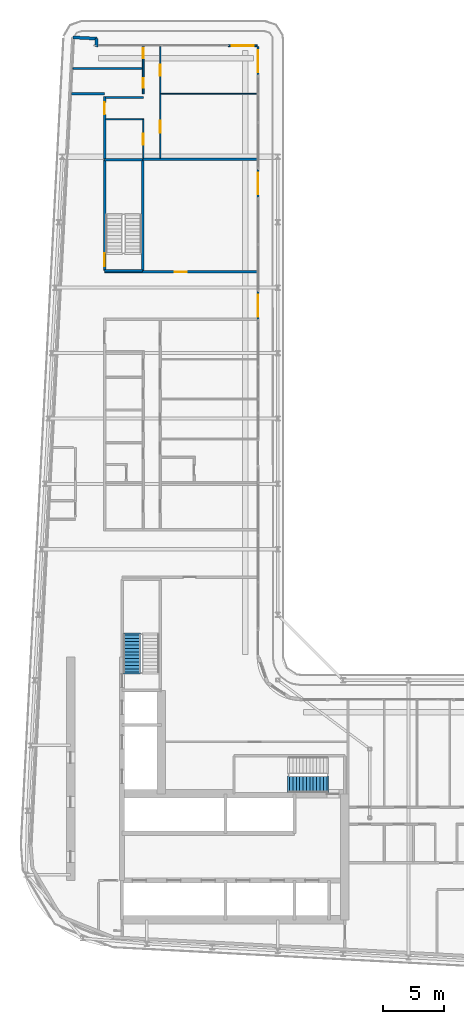
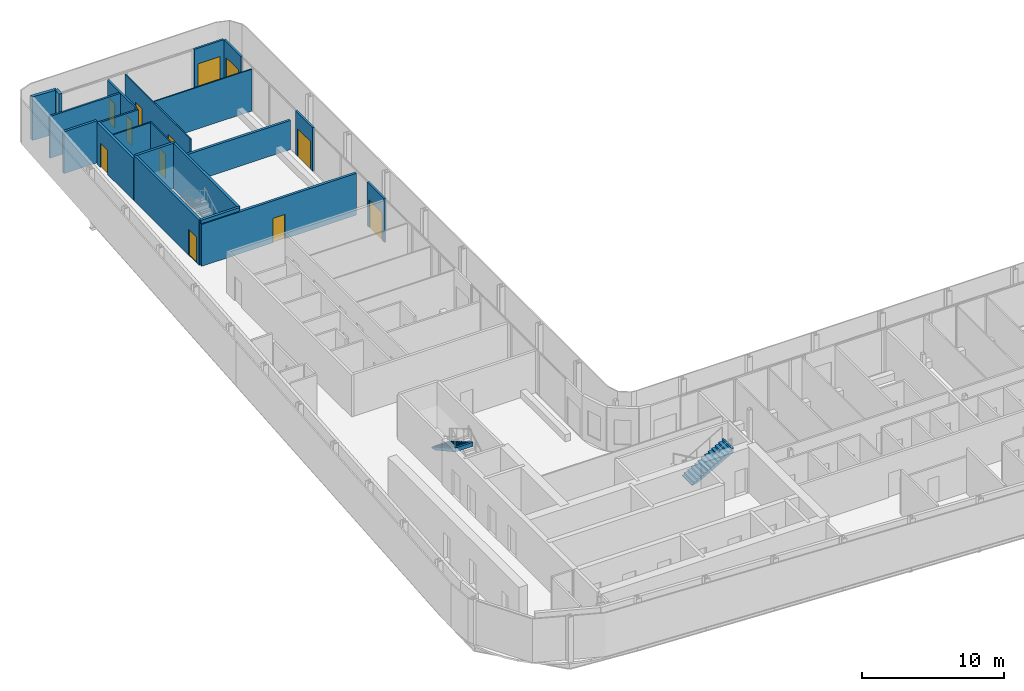
# One storey, part 15 of 23: 21 walls, 12 doors, 2 stair flights, 12 openings, 2 elements without a shape of their own.
"""IFC4 building model written with IfcOpenShell, lengths in metres."""

from ifc_helpers import new_model, si_unit, direction, frame, frame_2d, origin, place, context, subcontext, project, spatial, polyline, rectangle, outline, extrude, source, transform, mapped, material, layer, layer_set, type_object, element, fill, aggregate, save


model = new_model("IFC4")

# Units and contexts
model_context = context("Model", 3, precision=1e-05, world=origin(), true_north=direction((0.0, 1.0)))
body_context = subcontext(model_context, "Body", "Model", "MODEL_VIEW")
ifc_project = project(units=[si_unit("LENGTHUNIT", "METRE"), si_unit("AREAUNIT", "SQUARE_METRE"), si_unit("VOLUMEUNIT", "CUBIC_METRE"), si_unit("PLANEANGLEUNIT", "RADIAN"), si_unit("MASSUNIT", "GRAM", prefix="KILO")], contexts=[model_context])

# Site, building, storey
site_placement = place(None, origin())
site = spatial("IfcSite", under=ifc_project, at=site_placement, CompositionType="ELEMENT")
building_placement = place(site_placement, origin())
building = spatial("IfcBuilding", under=site, at=building_placement, Name="Kheshtan School and Residences Tower", CompositionType="ELEMENT")
storey_placement = place(building_placement, frame((0.0, 0.0, 243.5)))
storey = spatial("IfcBuildingStorey", under=building, at=storey_placement, Name="L57", CompositionType="ELEMENT", Elevation=243.5)

# Wall
ifc_material_1 = material(Name="Gypsum board on steel studs with fire boards", Category="steel")
ifc_layer_1 = layer(ifc_material_1, 0.199951171875)
ifc_layer_set_1 = layer_set([ifc_layer_1], Name="Corridor wall 200")
wall_type_1 = type_object("IfcWallType", Name="Corridor wall 200", PredefinedType="PARTITIONING", material=ifc_layer_set_1)
wall_1_placement = place(storey_placement, frame((30.584716796875, 94.0, 0.0), z_axis=(0.0, 0.0, 1.0), x_axis=(1.0, 0.0, 0.0)))
element("IfcWall", 1, at=wall_1_placement, inside=storey, type_object=wall_type_1, Name="Partition L57-002", PredefinedType="PARTITIONING", context=body_context, shape_type="SweptSolid", body=[
    extrude(rectangle(XDim=2.71533203125, YDim=0.199951171875, at=frame_2d((1.357666015625, 0.0))), origin(), (0.0, 0.0, 1.0), 3.60009765625),
])

# Wall, opening, door
wall_2_placement = place(storey_placement, frame((33.300048828125, 79.300048828125, 0.0), z_axis=(0.0, 0.0, 1.0), x_axis=(1.0, 0.0, 0.0)))
wall_2 = element("IfcWall", 2, at=wall_2_placement, inside=storey, type_object=wall_type_1, Name="Partition L57-004", PredefinedType="PARTITIONING", context=body_context, shape_type="SweptSolid", body=[
    extrude(rectangle(XDim=12.599853515625, YDim=0.199951171875, at=frame_2d((6.2998046875, 0.0))), origin(), (0.0, 0.0, 1.0), 3.60009765625),
])
opening_1_placement = place(wall_2_placement, frame((5.794921875, 0.0, 0.0)))
opening_1 = element("IfcOpeningElement", 3, at=opening_1_placement, cuts=wall_2, Name="Opening D56-049", PredefinedType="OPENING", context=body_context, shape_type="SweptSolid", body=[
    extrude(rectangle(XDim=1.0, YDim=2.10009765625, at=frame_2d((0.5, 1.050048828125))), frame((0.0, 0.10986328125, 0.0), z_axis=(0.0, -1.0, 0.0), x_axis=(1.0, 0.0, 0.0)), (0.0, 0.0, 1.0), 0.219970703125),
])
ifc_material_2 = material(Name="Steel-framed fire-resisting door leaf", Category="steel")
door_type_1 = type_object("IfcDoorType", Name="Fire door FD60 1000 x 2100", OperationType="SINGLE_SWING_LEFT", PredefinedType="DOOR", material=ifc_material_2)
shared_shape_1 = source(origin(), body_context, "Body", "SweptSolid", [
    extrude(rectangle(XDim=1.0, YDim=2.10009765625, at=frame_2d((0.5, 1.050048828125))), frame((0.0, 0.02490234375, 0.0), z_axis=(0.0, -1.0, 0.0), x_axis=(1.0, 0.0, 0.0)), (0.0, 0.0, 1.0), 0.050048828125),
])
door_1_placement = place(opening_1_placement, origin())
door_1 = element("IfcDoor", 4, at=door_1_placement, inside=storey, type_object=door_type_1, Name="Door D56-049", OperationType="SINGLE_SWING_RIGHT", OverallHeight=2.10009765625, OverallWidth=1.0, PredefinedType="DOOR", context=body_context, shape_type="MappedRepresentation", body=[
    mapped(shared_shape_1, transform((0.0, 0.0, 0.0), x_axis=(1.0, 0.0, 0.0), y_axis=(0.0, 1.0, 0.0), z_axis=(0.0, 0.0, 1.0), scale=1.0)),
])
fill(opening_1, door_1)

wall_3_placement = place(storey_placement, frame((33.300048828125, 88.60009765625, 0.0), z_axis=(0.0, 0.0, 1.0), x_axis=(0.0, 1.0, 0.0)))
wall_3 = element("IfcWall", 5, at=wall_3_placement, inside=storey, type_object=wall_type_1, Name="Partition L57-005", PredefinedType="PARTITIONING", context=body_context, shape_type="SweptSolid", body=[
    extrude(rectangle(XDim=5.1748046875, YDim=0.199951171875, at=frame_2d((2.58740234375, 0.0))), origin(), (0.0, 0.0, 1.0), 3.60009765625),
])
opening_2_placement = place(wall_3_placement, frame((3.699951171875, 0.0, 0.0)))
opening_2 = element("IfcOpeningElement", 6, at=opening_2_placement, cuts=wall_3, Name="Opening D56-042", PredefinedType="OPENING", context=body_context, shape_type="SweptSolid", body=[
    extrude(rectangle(XDim=1.0, YDim=2.10009765625, at=frame_2d((0.5, 1.050048828125))), frame((0.0, 0.10986328125, 0.0), z_axis=(0.0, -1.0, 0.0), x_axis=(1.0, 0.0, 0.0)), (0.0, 0.0, 1.0), 0.219970703125),
])
door_type_2 = type_object("IfcDoorType", Name="Fire door FD30S 1000 x 2100", OperationType="SINGLE_SWING_LEFT", PredefinedType="DOOR", material=ifc_material_2)
shared_shape_2 = source(origin(), body_context, "Body", "SweptSolid", [
    extrude(rectangle(XDim=1.0, YDim=2.10009765625, at=frame_2d((0.5, 1.050048828125))), frame((0.0, 0.02490234375, 0.0), z_axis=(0.0, -1.0, 0.0), x_axis=(1.0, 0.0, 0.0)), (0.0, 0.0, 1.0), 0.050048828125),
])
door_2_placement = place(opening_2_placement, origin())
door_2 = element("IfcDoor", 7, at=door_2_placement, inside=storey, type_object=door_type_2, Name="Door D56-042", OperationType="SINGLE_SWING_RIGHT", OverallHeight=2.10009765625, OverallWidth=1.0, PredefinedType="DOOR", context=body_context, shape_type="MappedRepresentation", body=[
    mapped(shared_shape_2, transform((0.0, 0.0, 0.0), x_axis=(1.0, 0.0, 0.0), y_axis=(0.0, 1.0, 0.0), z_axis=(0.0, 0.0, 1.0), scale=1.0)),
])
fill(opening_2, door_2)

# Walls
ifc_material_3 = material(Name="Concrete C40/50 with ceramic cladding and mineral wool insulation", Category="concrete")
ifc_layer_2 = layer(ifc_material_3, 0.25)
ifc_layer_set_2 = layer_set([ifc_layer_2], Name="External wall 250 ceramic clad")
wall_type_2 = type_object("IfcWallType", Name="External wall 250 ceramic clad", PredefinedType="SOLIDWALL", material=ifc_layer_set_2)
wall_4_placement = place(storey_placement, frame((30.705078125, 98.6640625, 0.0), z_axis=(0.0, 0.0, 1.0), x_axis=(0.998577785791, -0.053314216913, 0.0)))
element("IfcWall", 8, at=wall_4_placement, inside=storey, type_object=wall_type_2, Name="External wall L57 5", PredefinedType="SOLIDWALL", context=body_context, shape_type="SweptSolid", body=[
    extrude(rectangle(XDim=1.95068359375, YDim=0.25, at=frame_2d((0.975341796875, 0.0))), origin(), (0.0, 0.0, 1.0), 3.75),
])
wall_5_placement = place(storey_placement, frame((32.653076171875, 98.56005859375, 0.0), z_axis=(0.0, 0.0, 1.0), x_axis=(-0.054093451632, -0.998535877418, 0.0)))
element("IfcWall", 9, at=wall_5_placement, inside=storey, type_object=wall_type_2, Name="External wall L57 6", PredefinedType="SOLIDWALL", context=body_context, shape_type="SweptSolid", body=[
    extrude(rectangle(XDim=0.66796875, YDim=0.25, at=frame_2d((0.333984375, 0.0))), origin(), (0.0, 0.0, 1.0), 3.75),
])

# Wall, opening, door
ifc_material_4 = material(Name="Aluminium frame wall with insulated infill", Category="aluminium")
ifc_layer_3 = layer(ifc_material_4, 0.14990234375)
ifc_layer_set_3 = layer_set([ifc_layer_3], Name="Glazing frame wall 150")
wall_type_3 = type_object("IfcWallType", Name="Glazing frame wall 150", PredefinedType="SOLIDWALL", material=ifc_layer_set_3)
wall_6_placement = place(storey_placement, frame((43.5, 97.97509765625, 0.0), z_axis=(0.0, 0.0, 1.0), x_axis=(1.0, 0.0, 0.0)))
wall_6 = element("IfcWall", 10, at=wall_6_placement, inside=storey, type_object=wall_type_3, Name="Balcony door wall L57 7.1", PredefinedType="SOLIDWALL", context=body_context, shape_type="SweptSolid", body=[
    extrude(rectangle(XDim=2.39990234375, YDim=0.14990234375, at=frame_2d((1.199951171875, 0.0))), origin(), (0.0, 0.0, 1.0), 3.75),
])
opening_3_placement = place(wall_6_placement, frame((0.300048828125, 0.0, 0.0)))
opening_3 = element("IfcOpeningElement", 11, at=opening_3_placement, cuts=wall_6, Name="Opening BD", PredefinedType="OPENING", context=body_context, shape_type="SweptSolid", body=[
    extrude(rectangle(XDim=1.800048828125, YDim=2.39990234375, at=frame_2d((0.89990234375, 1.199951171875))), frame((0.0, 0.0849609375, 0.0), z_axis=(0.0, -1.0, 0.0), x_axis=(1.0, 0.0, 0.0)), (0.0, 0.0, 1.0), 0.169921875),
])
ifc_material_5 = material(Name="Clear low-e glass in thermally broken aluminium frame", Category="aluminium")
door_type_3 = type_object("IfcDoorType", Name="Balcony sliding door", OperationType="SLIDING_TO_LEFT", PredefinedType="DOOR", material=ifc_material_5)
shared_shape_3 = source(origin(), body_context, "Body", "SweptSolid", [
    extrude(rectangle(XDim=1.800048828125, YDim=2.39990234375, at=frame_2d((0.89990234375, 1.199951171875))), frame((0.0, 0.02490234375, 0.0), z_axis=(0.0, -1.0, 0.0), x_axis=(1.0, 0.0, 0.0)), (0.0, 0.0, 1.0), 0.050048828125),
])
door_3_placement = place(opening_3_placement, origin())
door_3 = element("IfcDoor", 12, at=door_3_placement, inside=storey, type_object=door_type_3, Name="Balcony door L57 7.1", OperationType="SLIDING_TO_LEFT", OverallHeight=2.39990234375, OverallWidth=1.800048828125, PredefinedType="DOOR", context=body_context, shape_type="MappedRepresentation", body=[
    mapped(shared_shape_3, transform((0.0, 0.0, 0.0), x_axis=(1.0, 0.0, 0.0), y_axis=(0.0, 1.0, 0.0), z_axis=(0.0, 0.0, 1.0), scale=1.0)),
])
fill(opening_3, door_3)

wall_7_placement = place(storey_placement, frame((45.97509765625, 97.89990234375, 0.0), z_axis=(0.0, 0.0, 1.0), x_axis=(0.0, -1.0, 0.0)))
wall_7 = element("IfcWall", 13, at=wall_7_placement, inside=storey, type_object=wall_type_3, Name="Balcony door wall L57 8.1", PredefinedType="SOLIDWALL", context=body_context, shape_type="SweptSolid", body=[
    extrude(rectangle(XDim=2.39990234375, YDim=0.14990234375, at=frame_2d((1.199951171875, 0.0))), origin(), (0.0, 0.0, 1.0), 3.75),
])
opening_4_placement = place(wall_7_placement, frame((0.300048828125, 0.0, 0.0)))
opening_4 = element("IfcOpeningElement", 14, at=opening_4_placement, cuts=wall_7, Name="Opening BD", PredefinedType="OPENING", context=body_context, shape_type="SweptSolid", body=[
    extrude(rectangle(XDim=1.800048828125, YDim=2.39990234375, at=frame_2d((0.89990234375, 1.199951171875))), frame((0.0, 0.0849609375, 0.0), z_axis=(0.0, -1.0, 0.0), x_axis=(1.0, 0.0, 0.0)), (0.0, 0.0, 1.0), 0.169921875),
])
door_4_placement = place(opening_4_placement, origin())
door_4 = element("IfcDoor", 15, at=door_4_placement, inside=storey, type_object=door_type_3, Name="Balcony door L57 8.1", OperationType="SLIDING_TO_LEFT", OverallHeight=2.39990234375, OverallWidth=1.800048828125, PredefinedType="DOOR", context=body_context, shape_type="MappedRepresentation", body=[
    mapped(shared_shape_3, transform((0.0, 0.0, 0.0), x_axis=(1.0, 0.0, 0.0), y_axis=(0.0, 1.0, 0.0), z_axis=(0.0, 0.0, 1.0), scale=1.0)),
])
fill(opening_4, door_4)

wall_8_placement = place(storey_placement, frame((45.97509765625, 87.805908203125, 0.0), z_axis=(0.0, 0.0, 1.0), x_axis=(0.0, -1.0, 0.0)))
wall_8 = element("IfcWall", 16, at=wall_8_placement, inside=storey, type_object=wall_type_3, Name="Balcony door wall L57 8.2", PredefinedType="SOLIDWALL", context=body_context, shape_type="SweptSolid", body=[
    extrude(rectangle(XDim=2.39990234375, YDim=0.14990234375, at=frame_2d((1.199951171875, 0.0))), origin(), (0.0, 0.0, 1.0), 3.75),
])
opening_5_placement = place(wall_8_placement, frame((0.300048828125, 0.0, 0.0)))
opening_5 = element("IfcOpeningElement", 17, at=opening_5_placement, cuts=wall_8, Name="Opening BD", PredefinedType="OPENING", context=body_context, shape_type="SweptSolid", body=[
    extrude(rectangle(XDim=1.800048828125, YDim=2.39990234375, at=frame_2d((0.89990234375, 1.199951171875))), frame((0.0, 0.0849609375, 0.0), z_axis=(0.0, -1.0, 0.0), x_axis=(1.0, 0.0, 0.0)), (0.0, 0.0, 1.0), 0.169921875),
])
door_5_placement = place(opening_5_placement, origin())
door_5 = element("IfcDoor", 18, at=door_5_placement, inside=storey, type_object=door_type_3, Name="Balcony door L57 8.2", OperationType="SLIDING_TO_LEFT", OverallHeight=2.39990234375, OverallWidth=1.800048828125, PredefinedType="DOOR", context=body_context, shape_type="MappedRepresentation", body=[
    mapped(shared_shape_3, transform((0.0, 0.0, 0.0), x_axis=(1.0, 0.0, 0.0), y_axis=(0.0, 1.0, 0.0), z_axis=(0.0, 0.0, 1.0), scale=1.0)),
])
fill(opening_5, door_5)

wall_9_placement = place(storey_placement, frame((45.97509765625, 77.7119140625, 0.0), z_axis=(0.0, 0.0, 1.0), x_axis=(0.0, -1.0, 0.0)))
wall_9 = element("IfcWall", 19, at=wall_9_placement, inside=storey, type_object=wall_type_3, Name="Balcony door wall L57 8.3", PredefinedType="SOLIDWALL", context=body_context, shape_type="SweptSolid", body=[
    extrude(rectangle(XDim=2.39990234375, YDim=0.14990234375, at=frame_2d((1.199951171875, 0.0))), origin(), (0.0, 0.0, 1.0), 3.75),
])
opening_6_placement = place(wall_9_placement, frame((0.300048828125, 0.0, 0.0)))
opening_6 = element("IfcOpeningElement", 20, at=opening_6_placement, cuts=wall_9, Name="Opening BD", PredefinedType="OPENING", context=body_context, shape_type="SweptSolid", body=[
    extrude(rectangle(XDim=1.800048828125, YDim=2.39990234375, at=frame_2d((0.89990234375, 1.199951171875))), frame((0.0, 0.0849609375, 0.0), z_axis=(0.0, -1.0, 0.0), x_axis=(1.0, 0.0, 0.0)), (0.0, 0.0, 1.0), 0.169921875),
])
door_6_placement = place(opening_6_placement, origin())
door_6 = element("IfcDoor", 21, at=door_6_placement, inside=storey, type_object=door_type_3, Name="Balcony door L57 8.3", OperationType="SLIDING_TO_LEFT", OverallHeight=2.39990234375, OverallWidth=1.800048828125, PredefinedType="DOOR", context=body_context, shape_type="MappedRepresentation", body=[
    mapped(shared_shape_3, transform((0.0, 0.0, 0.0), x_axis=(1.0, 0.0, 0.0), y_axis=(0.0, 1.0, 0.0), z_axis=(0.0, 0.0, 1.0), scale=1.0)),
])
fill(opening_6, door_6)

# Wall
ifc_material_6 = material(Name="Gypsum board on steel studs", Category="steel")
ifc_layer_4 = layer(ifc_material_6, 0.10009765625)
ifc_layer_set_4 = layer_set([ifc_layer_4], Name="Gypsum partition 100")
wall_type_4 = type_object("IfcWallType", Name="Gypsum partition 100", PredefinedType="PARTITIONING", material=ifc_layer_set_4)
wall_10_placement = place(storey_placement, frame((33.39990234375, 91.89990234375, 0.0), z_axis=(0.0, 0.0, 1.0), x_axis=(1.0, 0.0, 0.0)))
element("IfcWall", 22, at=wall_10_placement, inside=storey, type_object=wall_type_4, Name="Partition L57-014", PredefinedType="PARTITIONING", context=body_context, shape_type="SweptSolid", body=[
    extrude(rectangle(XDim=3.050048828125, YDim=0.10009765625, at=frame_2d((1.52490234375, 0.0))), origin(), (0.0, 0.0, 1.0), 3.60009765625),
])

# Wall, opening, door
wall_11_placement = place(storey_placement, frame((36.5, 88.699951171875, 0.0), z_axis=(0.0, 0.0, 1.0), x_axis=(0.0, 1.0, 0.0)))
wall_11 = element("IfcWall", 23, at=wall_11_placement, inside=storey, type_object=wall_type_4, Name="Partition L57-022", PredefinedType="PARTITIONING", context=body_context, shape_type="SweptSolid", body=[
    extrude(rectangle(XDim=3.25, YDim=0.10009765625, at=frame_2d((1.625, 0.0))), origin(), (0.0, 0.0, 1.0), 3.60009765625),
])
opening_7_placement = place(wall_11_placement, frame((1.10009765625, 0.0, 0.0)))
opening_7 = element("IfcOpeningElement", 24, at=opening_7_placement, cuts=wall_11, Name="Opening D56-043", PredefinedType="OPENING", context=body_context, shape_type="SweptSolid", body=[
    extrude(rectangle(XDim=0.89990234375, YDim=2.10009765625, at=frame_2d((0.449951171875, 1.050048828125))), frame((0.0, 0.06005859375, 0.0), z_axis=(0.0, -1.0, 0.0), x_axis=(1.0, 0.0, 0.0)), (0.0, 0.0, 1.0), 0.1201171875),
])
ifc_material_7 = material(Name="Veneered timber door leaf", Category="wood")
door_type_4 = type_object("IfcDoorType", Name="Door 900 x 2100", OperationType="SINGLE_SWING_LEFT", PredefinedType="DOOR", material=ifc_material_7)
shared_shape_4 = source(origin(), body_context, "Body", "SweptSolid", [
    extrude(rectangle(XDim=0.89990234375, YDim=2.10009765625, at=frame_2d((0.449951171875, 1.050048828125))), frame((0.0, 0.02490234375, 0.0), z_axis=(0.0, -1.0, 0.0), x_axis=(1.0, 0.0, 0.0)), (0.0, 0.0, 1.0), 0.050048828125),
])
door_7_placement = place(opening_7_placement, origin())
door_7 = element("IfcDoor", 25, at=door_7_placement, inside=storey, type_object=door_type_4, Name="Door D56-043", OperationType="SINGLE_SWING_LEFT", OverallHeight=2.10009765625, OverallWidth=0.89990234375, PredefinedType="DOOR", context=body_context, shape_type="MappedRepresentation", body=[
    mapped(shared_shape_4, transform((0.0, 0.0, 0.0), x_axis=(1.0, 0.0, 0.0), y_axis=(0.0, 1.0, 0.0), z_axis=(0.0, 0.0, 1.0), scale=1.0)),
])
fill(opening_7, door_7)

# Wall, openings, doors
wall_12_placement = place(storey_placement, frame((37.89990234375, 88.699951171875, 0.0), z_axis=(0.0, 0.0, 1.0), x_axis=(0.0, 1.0, 0.0)))
wall_12 = element("IfcWall", 26, at=wall_12_placement, inside=storey, type_object=wall_type_4, Name="Partition L57-025", PredefinedType="PARTITIONING", context=body_context, shape_type="SweptSolid", body=[
    extrude(rectangle(XDim=9.199951171875, YDim=0.10009765625, at=frame_2d((4.60009765625, 0.0))), origin(), (0.0, 0.0, 1.0), 3.60009765625),
])
opening_8_placement = place(wall_12_placement, frame((6.800048828125, 0.0, 0.0)))
opening_8 = element("IfcOpeningElement", 27, at=opening_8_placement, cuts=wall_12, Name="Opening D56-041", PredefinedType="OPENING", context=body_context, shape_type="SweptSolid", body=[
    extrude(rectangle(XDim=0.89990234375, YDim=2.10009765625, at=frame_2d((0.449951171875, 1.050048828125))), frame((0.0, 0.06005859375, 0.0), z_axis=(0.0, -1.0, 0.0), x_axis=(1.0, 0.0, 0.0)), (0.0, 0.0, 1.0), 0.1201171875),
])
opening_9_placement = place(wall_12_placement, frame((2.10009765625, 0.0, 0.0)))
opening_9 = element("IfcOpeningElement", 28, at=opening_9_placement, cuts=wall_12, Name="Opening D56-044", PredefinedType="OPENING", context=body_context, shape_type="SweptSolid", body=[
    extrude(rectangle(XDim=1.0, YDim=2.10009765625, at=frame_2d((0.5, 1.050048828125))), frame((0.0, 0.06005859375, 0.0), z_axis=(0.0, -1.0, 0.0), x_axis=(1.0, 0.0, 0.0)), (0.0, 0.0, 1.0), 0.1201171875),
])
door_type_5 = type_object("IfcDoorType", Name="Door 1000 x 2100", OperationType="SINGLE_SWING_LEFT", PredefinedType="DOOR", material=ifc_material_7)
shared_shape_5 = source(origin(), body_context, "Body", "SweptSolid", [
    extrude(rectangle(XDim=1.0, YDim=2.10009765625, at=frame_2d((0.5, 1.050048828125))), frame((0.0, 0.02490234375, 0.0), z_axis=(0.0, -1.0, 0.0), x_axis=(1.0, 0.0, 0.0)), (0.0, 0.0, 1.0), 0.050048828125),
])
door_8_placement = place(opening_9_placement, origin())
door_8 = element("IfcDoor", 29, at=door_8_placement, inside=storey, type_object=door_type_5, Name="Door D56-044", OperationType="SINGLE_SWING_LEFT", OverallHeight=2.10009765625, OverallWidth=1.0, PredefinedType="DOOR", context=body_context, shape_type="MappedRepresentation", body=[
    mapped(shared_shape_5, transform((0.0, 0.0, 0.0), x_axis=(1.0, 0.0, 0.0), y_axis=(0.0, 1.0, 0.0), z_axis=(0.0, 0.0, 1.0), scale=1.0)),
])
fill(opening_9, door_8)
door_9_placement = place(opening_8_placement, origin())
door_9 = element("IfcDoor", 30, at=door_9_placement, inside=storey, type_object=door_type_4, Name="Door D56-041", OperationType="SINGLE_SWING_RIGHT", OverallHeight=2.10009765625, OverallWidth=0.89990234375, PredefinedType="DOOR", context=body_context, shape_type="MappedRepresentation", body=[
    mapped(shared_shape_4, transform((0.0, 0.0, 0.0), x_axis=(1.0, 0.0, 0.0), y_axis=(0.0, 1.0, 0.0), z_axis=(0.0, 0.0, 1.0), scale=1.0)),
])
fill(opening_8, door_9)

# Walls
wall_13_placement = place(storey_placement, frame((37.949951171875, 94.0, 0.0), z_axis=(0.0, 0.0, 1.0), x_axis=(1.0, 0.0, 0.0)))
element("IfcWall", 31, at=wall_13_placement, inside=storey, type_object=wall_type_4, Name="Partition L57-026", PredefinedType="PARTITIONING", context=body_context, shape_type="SweptSolid", body=[
    extrude(rectangle(XDim=7.949951171875, YDim=0.10009765625, at=frame_2d((3.97509765625, 0.0))), origin(), (0.0, 0.0, 1.0), 3.60009765625),
])
ifc_material_8 = material(Name="Concrete C40/50", Category="concrete")
ifc_layer_5 = layer(ifc_material_8, 0.199951171875)
ifc_layer_set_5 = layer_set([ifc_layer_5], Name="Stair enclosure wall 200 Concrete C40/50")
wall_type_5 = type_object("IfcWallType", Name="Stair enclosure wall 200 Concrete C40/50", PredefinedType="SHEAR", material=ifc_layer_set_5)
for number, where, z_axis, x_axis, name in (
    (32, (33.300048828125, 79.39990234375, 0.0), (0.0, 0.0, 1.0), (1.0, 0.0, 0.0), "Stair enclosure wall ST3"),
    (33, (33.300048828125, 88.56005859375, 0.0), (0.0, 0.0, 1.0), (1.0, 0.0, 0.0), "Stair enclosure wall ST3"),
):
    element("IfcWall", number, at=place(storey_placement, frame(where, z_axis=z_axis, x_axis=x_axis)), inside=storey, type_object=wall_type_5, Name=name, PredefinedType="SHEAR", context=body_context, shape_type="SweptSolid", body=[
        extrude(rectangle(XDim=3.14990234375, YDim=0.199951171875, at=frame_2d((1.574951171875, 0.0))), origin(), (0.0, 0.0, 1.0), 3.89990234375),
    ])

# Wall, opening, door
wall_14_placement = place(storey_placement, frame((33.300048828125, 79.39990234375, 0.0), z_axis=(0.0, 0.0, 1.0), x_axis=(0.0, 1.0, 0.0)))
wall_14 = element("IfcWall", 34, at=wall_14_placement, inside=storey, type_object=wall_type_5, Name="Stair enclosure wall ST3", PredefinedType="SHEAR", context=body_context, shape_type="SweptSolid", body=[
    extrude(rectangle(XDim=9.16015625, YDim=0.199951171875, at=frame_2d((4.580078125, 0.0))), origin(), (0.0, 0.0, 1.0), 3.89990234375),
])
opening_10_placement = place(wall_14_placement, frame((0.35009765625, 0.0, 0.0)))
opening_10 = element("IfcOpeningElement", 35, at=opening_10_placement, cuts=wall_14, Name="Opening ST3D", PredefinedType="OPENING", context=body_context, shape_type="SweptSolid", body=[
    extrude(rectangle(XDim=1.10009765625, YDim=2.199951171875, at=frame_2d((0.550048828125, 1.10009765625))), frame((0.0, 0.10986328125, 0.0), z_axis=(0.0, -1.0, 0.0), x_axis=(1.0, 0.0, 0.0)), (0.0, 0.0, 1.0), 0.219970703125),
])
ifc_material_9 = material(Name="Steel door leaf, galvanised", Category="steel")
door_type_6 = type_object("IfcDoorType", Name="Stair door 1100 steel 90 min", OperationType="SINGLE_SWING_LEFT", PredefinedType="DOOR", material=ifc_material_9)
shared_shape_6 = source(origin(), body_context, "Body", "SweptSolid", [
    extrude(rectangle(XDim=1.10009765625, YDim=2.199951171875, at=frame_2d((0.550048828125, 1.10009765625))), frame((0.0, 0.02490234375, 0.0), z_axis=(0.0, -1.0, 0.0), x_axis=(1.0, 0.0, 0.0)), (0.0, 0.0, 1.0), 0.050048828125),
])
door_10_placement = place(opening_10_placement, origin())
door_10 = element("IfcDoor", 36, at=door_10_placement, inside=storey, type_object=door_type_6, Name="Stair ST3 door", OperationType="SINGLE_SWING_RIGHT", OverallHeight=2.199951171875, OverallWidth=1.10009765625, PredefinedType="DOOR", context=body_context, shape_type="MappedRepresentation", body=[
    mapped(shared_shape_6, transform((0.0, 0.0, 0.0), x_axis=(1.0, 0.0, 0.0), y_axis=(0.0, 1.0, 0.0), z_axis=(0.0, 0.0, 1.0), scale=1.0)),
])
fill(opening_10, door_10)

# Walls
wall_15_placement = place(storey_placement, frame((36.449951171875, 79.39990234375, 0.0), z_axis=(0.0, 0.0, 1.0), x_axis=(0.0, 1.0, 0.0)))
element("IfcWall", 37, at=wall_15_placement, inside=storey, type_object=wall_type_5, Name="Stair enclosure wall ST3", PredefinedType="SHEAR", context=body_context, shape_type="SweptSolid", body=[
    extrude(rectangle(XDim=9.16015625, YDim=0.199951171875, at=frame_2d((4.580078125, 0.0))), origin(), (0.0, 0.0, 1.0), 3.89990234375),
])
ifc_material_10 = material(Name="Twin gypsum board on steel studs with mineral wool", Category="steel")
ifc_layer_6 = layer(ifc_material_10, 0.199951171875)
ifc_layer_set_6 = layer_set([ifc_layer_6], Name="Unit demising wall 200")
wall_type_6 = type_object("IfcWallType", Name="Unit demising wall 200", PredefinedType="PARTITIONING", material=ifc_layer_set_6)
wall_16_placement = place(storey_placement, frame((36.449951171875, 88.60009765625, 0.0), z_axis=(0.0, 0.0, 1.0), x_axis=(1.0, 0.0, 0.0)))
element("IfcWall", 38, at=wall_16_placement, inside=storey, type_object=wall_type_6, Name="Partition L57-020", PredefinedType="PARTITIONING", context=body_context, shape_type="SweptSolid", body=[
    extrude(rectangle(XDim=9.449951171875, YDim=0.199951171875, at=frame_2d((4.72509765625, 0.0))), origin(), (0.0, 0.0, 1.0), 2.5),
])
ifc_material_11 = material(Name="Moisture-resistant gypsum board on steel studs", Category="steel")
ifc_layer_7 = layer(ifc_material_11, 0.14990234375)
ifc_layer_set_7 = layer_set([ifc_layer_7], Name="Wet-room partition 150")
wall_type_7 = type_object("IfcWallType", Name="Wet-room partition 150", PredefinedType="PARTITIONING", material=ifc_layer_set_7)
wall_17_placement = place(storey_placement, frame((30.695068359375, 96.10009765625, 0.0), z_axis=(0.0, 0.0, 1.0), x_axis=(1.0, 0.0, 0.0)))
element("IfcWall", 39, at=wall_17_placement, inside=storey, type_object=wall_type_7, Name="Partition L57-001", PredefinedType="PARTITIONING", context=body_context, shape_type="SweptSolid", body=[
    extrude(rectangle(XDim=5.72998046875, YDim=0.14990234375, at=frame_2d((2.864990234375, 0.0))), origin(), (0.0, 0.0, 1.0), 3.60009765625),
])
wall_18_placement = place(storey_placement, frame((33.39990234375, 93.699951171875, 0.0), z_axis=(0.0, 0.0, 1.0), x_axis=(1.0, 0.0, 0.0)))
element("IfcWall", 40, at=wall_18_placement, inside=storey, type_object=wall_type_7, Name="Partition L57-015", PredefinedType="PARTITIONING", context=body_context, shape_type="SweptSolid", body=[
    extrude(rectangle(XDim=3.10009765625, YDim=0.14990234375, at=frame_2d((1.550048828125, 0.0))), origin(), (0.0, 0.0, 1.0), 3.60009765625),
])

# Wall, openings, doors
wall_19_placement = place(storey_placement, frame((36.5, 94.0, 0.0), z_axis=(0.0, 0.0, 1.0), x_axis=(0.0, 1.0, 0.0)))
wall_19 = element("IfcWall", 41, at=wall_19_placement, inside=storey, type_object=wall_type_7, Name="Partition L57-023", PredefinedType="PARTITIONING", context=body_context, shape_type="SweptSolid", body=[
    extrude(rectangle(XDim=3.89990234375, YDim=0.14990234375, at=frame_2d((1.949951171875, 0.0))), origin(), (0.0, 0.0, 1.0), 3.60009765625),
])
opening_11_placement = place(wall_19_placement, frame((0.5, 0.0, 0.0)))
opening_11 = element("IfcOpeningElement", 42, at=opening_11_placement, cuts=wall_19, Name="Opening D56-040", PredefinedType="OPENING", context=body_context, shape_type="SweptSolid", body=[
    extrude(rectangle(XDim=0.800048828125, YDim=2.10009765625, at=frame_2d((0.39990234375, 1.050048828125))), frame((0.0, 0.0849609375, 0.0), z_axis=(0.0, -1.0, 0.0), x_axis=(1.0, 0.0, 0.0)), (0.0, 0.0, 1.0), 0.169921875),
])
opening_12_placement = place(wall_19_placement, frame((2.949951171875, 0.0, 0.0)))
opening_12 = element("IfcOpeningElement", 43, at=opening_12_placement, cuts=wall_19, Name="Opening D56-045", PredefinedType="OPENING", context=body_context, shape_type="SweptSolid", body=[
    extrude(rectangle(XDim=0.800048828125, YDim=2.10009765625, at=frame_2d((0.39990234375, 1.050048828125))), frame((0.0, 0.0849609375, 0.0), z_axis=(0.0, -1.0, 0.0), x_axis=(1.0, 0.0, 0.0)), (0.0, 0.0, 1.0), 0.169921875),
])
door_type_7 = type_object("IfcDoorType", Name="Door 800 x 2100", OperationType="SINGLE_SWING_LEFT", PredefinedType="DOOR", material=ifc_material_7)
shared_shape_7 = source(origin(), body_context, "Body", "SweptSolid", [
    extrude(rectangle(XDim=0.800048828125, YDim=2.10009765625, at=frame_2d((0.39990234375, 1.050048828125))), frame((0.0, 0.02490234375, 0.0), z_axis=(0.0, -1.0, 0.0), x_axis=(1.0, 0.0, 0.0)), (0.0, 0.0, 1.0), 0.050048828125),
])
door_11_placement = place(opening_11_placement, origin())
door_11 = element("IfcDoor", 44, at=door_11_placement, inside=storey, type_object=door_type_7, Name="Door D56-040", OperationType="SINGLE_SWING_LEFT", OverallHeight=2.10009765625, OverallWidth=0.800048828125, PredefinedType="DOOR", context=body_context, shape_type="MappedRepresentation", body=[
    mapped(shared_shape_7, transform((0.0, 0.0, 0.0), x_axis=(1.0, 0.0, 0.0), y_axis=(0.0, 1.0, 0.0), z_axis=(0.0, 0.0, 1.0), scale=1.0)),
])
fill(opening_11, door_11)
door_12_placement = place(opening_12_placement, origin())
door_12 = element("IfcDoor", 45, at=door_12_placement, inside=storey, type_object=door_type_7, Name="Door D56-045", OperationType="SINGLE_SWING_LEFT", OverallHeight=2.10009765625, OverallWidth=0.800048828125, PredefinedType="DOOR", context=body_context, shape_type="MappedRepresentation", body=[
    mapped(shared_shape_7, transform((0.0, 0.0, 0.0), x_axis=(1.0, 0.0, 0.0), y_axis=(0.0, 1.0, 0.0), z_axis=(0.0, 0.0, 1.0), scale=1.0)),
])
fill(opening_12, door_12)

# Stair, stair flight
stair_type = type_object("IfcStairType", Name="Exit stair, half-turn", PredefinedType="HALF_TURN_STAIR", material=ifc_material_8)
stair_1_placement = place(storey_placement, origin())
stair_1 = element("IfcStair", 46, at=stair_1_placement, inside=storey, type_object=stair_type, Name="L57 Protected Exit Stair ST1", PredefinedType="HALF_TURN_STAIR")
ifc_layer_8 = layer(ifc_material_8, 0.14990234375)
ifc_layer_set_8 = layer_set([ifc_layer_8], Name="Stair flight 1400 Concrete C40/50")
stair_flight_type = type_object("IfcStairFlightType", Name="Stair flight 1400 Concrete C40/50", PredefinedType="STRAIGHT", material=ifc_layer_set_8)
stair_flight_1_placement = place(storey_placement, frame((48.570068359375, 37.0, 1.949951171875), z_axis=(0.0, 0.0, 1.0), x_axis=(1.0, 0.0, 0.0)))
stair_flight_1 = element("IfcStairFlight", 47, at=stair_flight_1_placement, type_object=stair_flight_type, Name="ST1 flight 2", NumberOfRisers=12, NumberOfTreads=11, PredefinedType="STRAIGHT", RiserHeight=0.1625, TreadLength=0.28, context=body_context, shape_type="SweptSolid", body=[
    extrude(outline(polyline([(-0.14990234375, -0.10009765625), (-0.14990234375, 0.0), (0.0, 0.0), (0.0, 0.16259765625), (0.280029296875, 0.16259765625), (0.280029296875, 0.324951171875), (0.56005859375, 0.324951171875), (0.56005859375, 0.487548828125), (0.840087890625, 0.487548828125), (0.840087890625, 0.64990234375), (1.1201171875, 0.64990234375), (1.1201171875, 0.8125), (1.39990234375, 0.8125), (1.39990234375, 0.97509765625), (1.679931640625, 0.97509765625), (1.679931640625, 1.137451171875), (1.9599609375, 1.137451171875), (1.9599609375, 1.300048828125), (2.239990234375, 1.300048828125), (2.239990234375, 1.46240234375), (2.52001953125, 1.46240234375), (2.52001953125, 1.625), (2.800048828125, 1.625), (2.800048828125, 1.78759765625), (3.080078125, 1.78759765625), (3.080078125, 1.949951171875), (3.080078125, 1.969970703125), (3.22998046875, 1.969970703125), (3.22998046875, 1.6142578125), (0.298583984375, 0.0), (-0.14990234375, -0.10009765625)])), frame((0.0, 0.699951171875, 0.0), z_axis=(0.0, -1.0, 0.0), x_axis=(1.0, 0.0, 0.0)), (0.0, 0.0, 1.0), 1.39990234375),
])
aggregate(stair_1, [stair_flight_1])

stair_2_placement = place(storey_placement, origin())
stair_2 = element("IfcStair", 48, at=stair_2_placement, inside=storey, type_object=stair_type, Name="L57 Protected Exit Stair ST2", PredefinedType="HALF_TURN_STAIR")
stair_flight_2_placement = place(storey_placement, frame((35.550048828125, 49.330078125, 1.949951171875), z_axis=(0.0, 0.0, 1.0), x_axis=(0.0, -1.0, 0.0)))
stair_flight_2 = element("IfcStairFlight", 49, at=stair_flight_2_placement, type_object=stair_flight_type, Name="ST2 flight 2", NumberOfRisers=12, NumberOfTreads=11, PredefinedType="STRAIGHT", RiserHeight=0.1625, TreadLength=0.28, context=body_context, shape_type="SweptSolid", body=[
    extrude(outline(polyline([(-0.14990234375, -0.10009765625), (-0.14990234375, 0.0), (0.0, 0.0), (0.0, 0.16259765625), (0.280029296875, 0.16259765625), (0.280029296875, 0.324951171875), (0.56005859375, 0.324951171875), (0.56005859375, 0.487548828125), (0.840087890625, 0.487548828125), (0.840087890625, 0.64990234375), (1.1201171875, 0.64990234375), (1.1201171875, 0.8125), (1.39990234375, 0.8125), (1.39990234375, 0.97509765625), (1.679931640625, 0.97509765625), (1.679931640625, 1.137451171875), (1.9599609375, 1.137451171875), (1.9599609375, 1.300048828125), (2.239990234375, 1.300048828125), (2.239990234375, 1.46240234375), (2.52001953125, 1.46240234375), (2.52001953125, 1.625), (2.800048828125, 1.625), (2.800048828125, 1.78759765625), (3.080078125, 1.78759765625), (3.080078125, 1.949951171875), (3.080078125, 1.969970703125), (3.22998046875, 1.969970703125), (3.22998046875, 1.6142578125), (0.298583984375, 0.0), (-0.14990234375, -0.10009765625)])), frame((0.0, 0.699951171875, 0.0), z_axis=(0.0, -1.0, 0.0), x_axis=(1.0, 0.0, 0.0)), (0.0, 0.0, 1.0), 1.39990234375),
])
aggregate(stair_2, [stair_flight_2])

save(model, "model.ifc")
